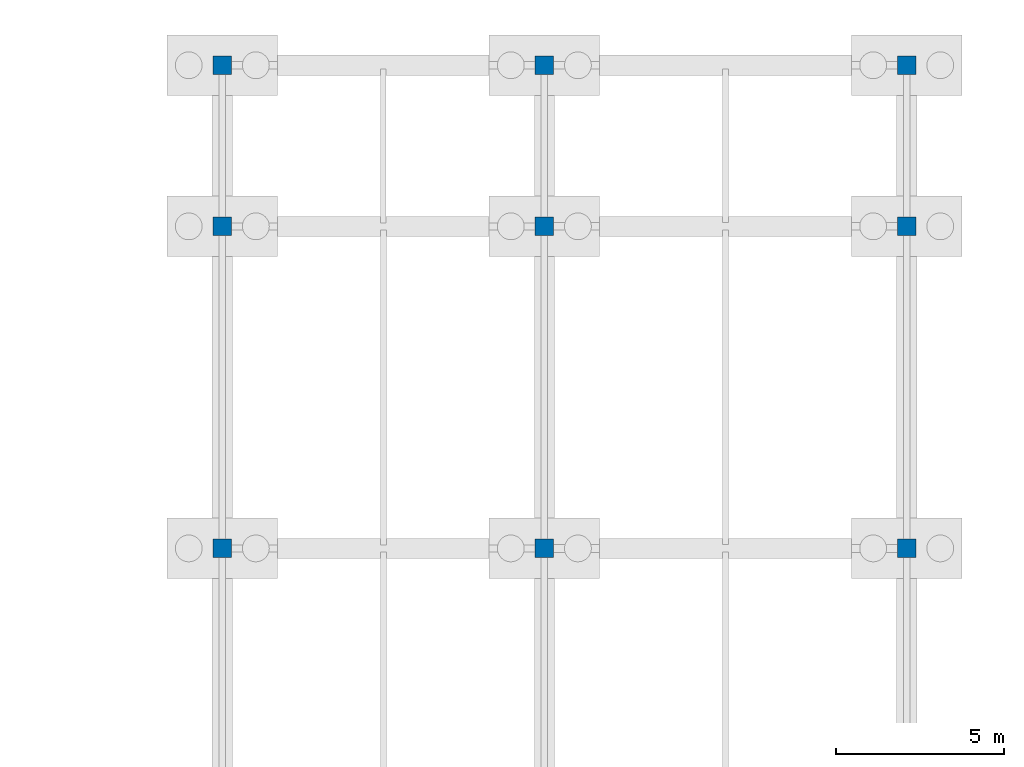
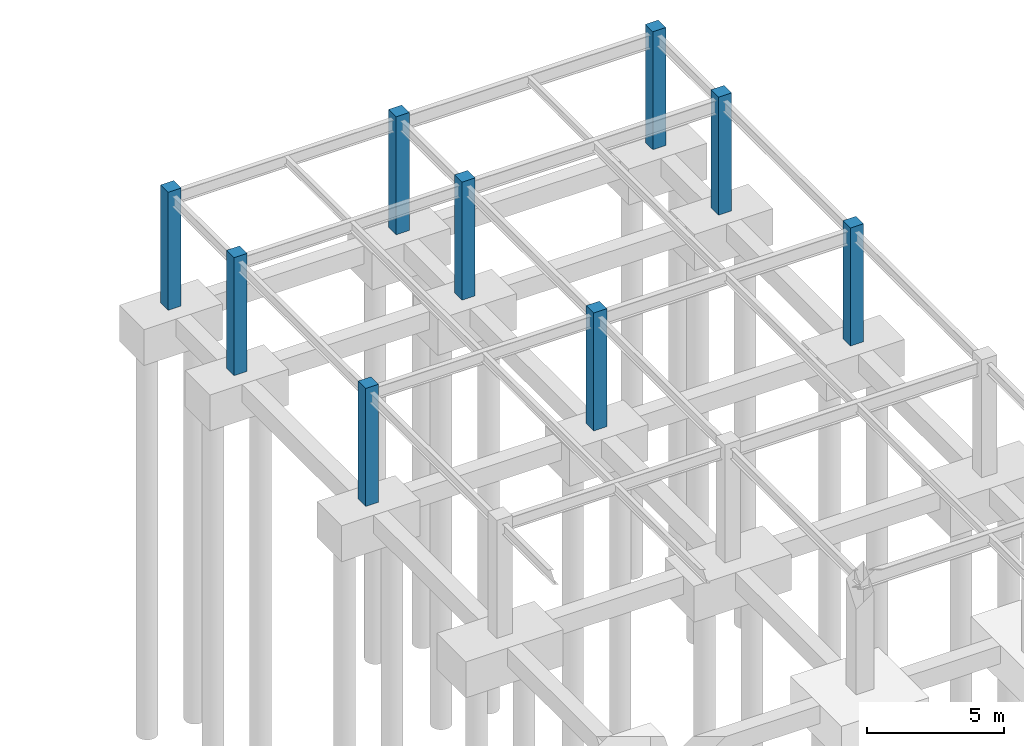
# One storey, part 36 of 55: 9 columns.
"""IFC4 building model written with IfcOpenShell, lengths in metres."""

from ifc_helpers import new_model, si_unit, direction, frame, origin, origin_2d, place, context, subcontext, project, spatial, rectangle, extrude, material, material_profile, profile_set, type_object, element, save


model = new_model("IFC4")

# Units and contexts
model_context = context("Model", 3, precision=1e-05, world=origin(), true_north=direction((0.0, 1.0)))
body_context = subcontext(model_context, "Body", "Model", "MODEL_VIEW")
ifc_project = project(units=[si_unit("LENGTHUNIT", "METRE"), si_unit("AREAUNIT", "SQUARE_METRE"), si_unit("VOLUMEUNIT", "CUBIC_METRE"), si_unit("PLANEANGLEUNIT", "RADIAN"), si_unit("MASSUNIT", "GRAM", prefix="KILO")], contexts=[model_context])

# Site, building, storey
site_placement = place(None, origin())
site = spatial("IfcSite", under=ifc_project, at=site_placement, CompositionType="ELEMENT")
building_placement = place(site_placement, origin())
building = spatial("IfcBuilding", under=site, at=building_placement, Name="Almandine Court Research Institute", CompositionType="ELEMENT")
storey_placement = place(building_placement, frame((0.0, 0.0, -5.25)))
storey = spatial("IfcBuildingStorey", under=building, at=storey_placement, Name="B1", CompositionType="ELEMENT", Elevation=-5.25)

# Columns
ifc_material = material(Name="Concrete C40/50", Category="concrete")
ifc_material_profile = material_profile(ifc_material, rectangle(XDim=0.550048828125, YDim=0.550048828125, at=origin_2d()), Name="RC 550x550")
ifc_profile_set = profile_set([ifc_material_profile], Name="Concrete C40/50")
column_type = type_object("IfcColumnType", Name="Col-C-RC3", PredefinedType="COLUMN", material=ifc_profile_set)
for number, where, z_axis, x_axis, name in (
    (1, (153.60009765625, 103.199951171875, 0.0), (0.0, 0.0, 1.0), (1.0, 0.0, 0.0), "B1 V4 Column V4-X2Y10"),
    (2, (153.60009765625, 112.800048828125, 0.0), (0.0, 0.0, 1.0), (1.0, 0.0, 0.0), "B1 V4 Column V4-X2Y11"),
    (3, (153.60009765625, 117.60009765625, 0.0), (0.0, 0.0, 1.0), (1.0, 0.0, 0.0), "B1 V4 Column V4-X2Y12"),
    (4, (163.199951171875, 103.199951171875, 0.0), (0.0, 0.0, 1.0), (1.0, 0.0, 0.0), "B1 V4 Column V4-X3Y10"),
    (5, (163.199951171875, 112.800048828125, 0.0), (0.0, 0.0, 1.0), (1.0, 0.0, 0.0), "B1 V4 Column V4-X3Y11"),
    (6, (163.199951171875, 117.60009765625, 0.0), (0.0, 0.0, 1.0), (1.0, 0.0, 0.0), "B1 V4 Column V4-X3Y12"),
    (7, (174.0, 103.199951171875, 0.0), (0.0, 0.0, 1.0), (1.0, 0.0, 0.0), "B1 V4 Column V4-X4Y10"),
    (8, (174.0, 112.800048828125, 0.0), (0.0, 0.0, 1.0), (1.0, 0.0, 0.0), "B1 V4 Column V4-X4Y11"),
    (9, (174.0, 117.60009765625, 0.0), (0.0, 0.0, 1.0), (1.0, 0.0, 0.0), "B1 V4 Column V4-X4Y12"),
):
    element("IfcColumn", number, at=place(storey_placement, frame(where, z_axis=z_axis, x_axis=x_axis)), inside=storey, type_object=column_type, Name=name, PredefinedType="COLUMN", context=body_context, shape_type="SweptSolid", body=[
        extrude(rectangle(XDim=0.550048828125, YDim=0.550048828125, at=origin_2d()), origin(), (0.0, 0.0, 1.0), 5.25),
    ])

save(model, "model.ifc")
